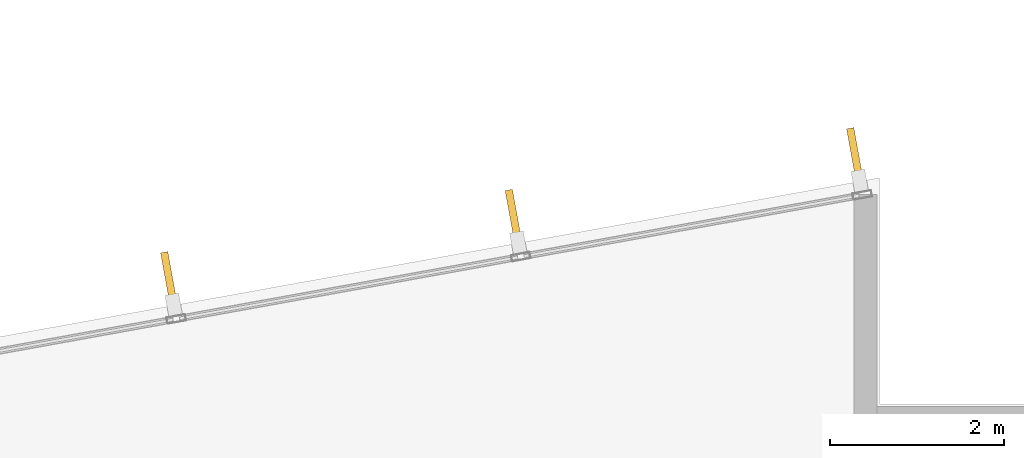
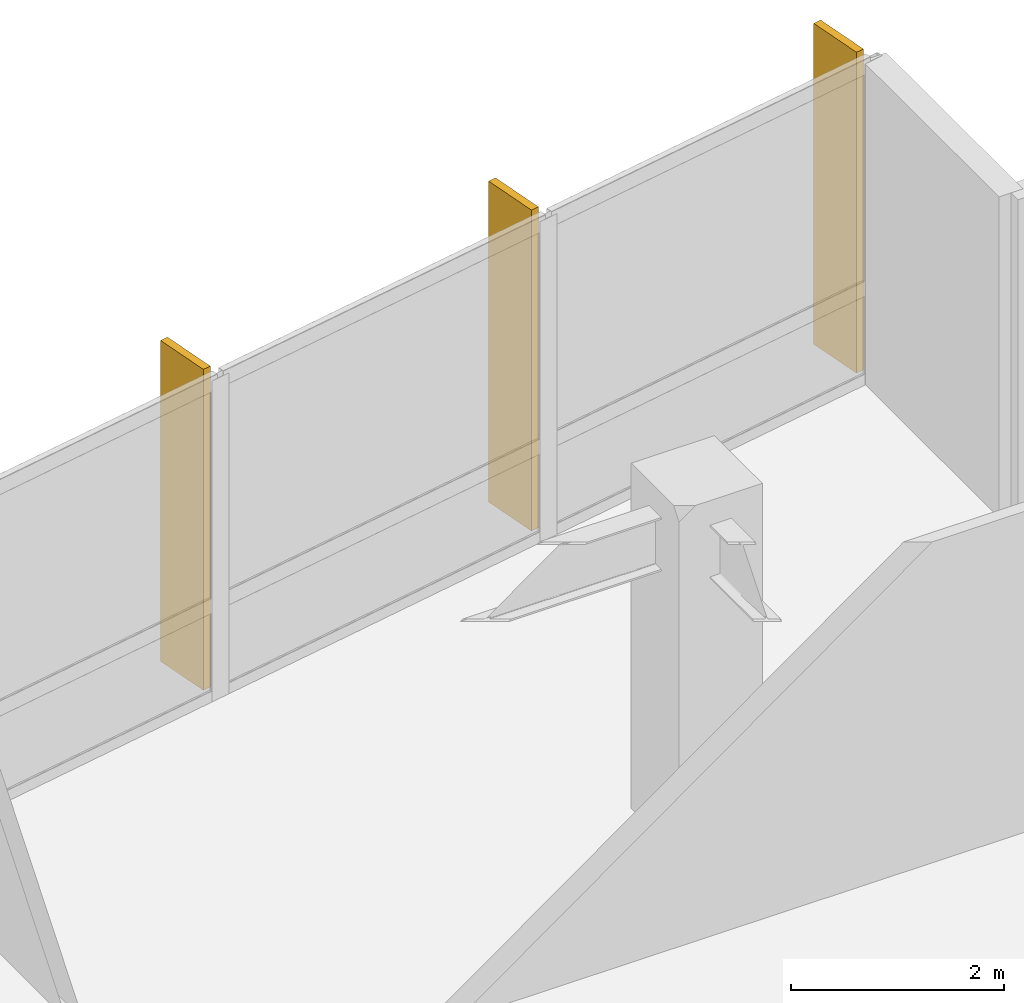
# One storey, part 19 of 19: 3 shading devices.
"""IFC4 building model written with IfcOpenShell, lengths in metres."""

from ifc_helpers import new_model, si_unit, direction, frame, origin, origin_2d, place, context, subcontext, project, spatial, rectangle, extrude, material, layer, layer_set, type_object, element, save


model = new_model("IFC4")

# Units and contexts
model_context = context("Model", 3, precision=1e-05, world=origin(), true_north=direction((0.0, 1.0)))
body_context = subcontext(model_context, "Body", "Model", "MODEL_VIEW")
ifc_project = project(units=[si_unit("LENGTHUNIT", "METRE"), si_unit("AREAUNIT", "SQUARE_METRE"), si_unit("VOLUMEUNIT", "CUBIC_METRE"), si_unit("PLANEANGLEUNIT", "RADIAN"), si_unit("MASSUNIT", "GRAM", prefix="KILO")], contexts=[model_context])

# Site, building, storey
site_placement = place(None, origin())
site = spatial("IfcSite", under=ifc_project, at=site_placement, CompositionType="ELEMENT")
building_placement = place(site_placement, origin())
building = spatial("IfcBuilding", under=site, at=building_placement, Name="Varnakote Quay Hospital", CompositionType="ELEMENT")
storey_placement = place(building_placement, frame((0.0, 0.0, 93.60009765625)))
storey = spatial("IfcBuildingStorey", under=building, at=storey_placement, Name="L23", CompositionType="ELEMENT", Elevation=93.60009765625)

# Shading devices
ifc_material = material(Name="Anodised aluminium 6063-T6 Bronze", Category="aluminium")
ifc_layer = layer(ifc_material, 0.0849609375)
ifc_layer_set = layer_set([ifc_layer], Name="Anodised aluminium 6063-T6 Bronze")
shading_device_type = type_object("IfcShadingDeviceType", Name="SHD-BRONZE-FIN-620", PredefinedType="USERDEFINED", material=ifc_layer_set)
for number, where, z_axis, x_axis, name in (
    (1, (55.319580078125, 34.664306640625, 0.0), (0.0, 0.0, 1.0), (0.177771795263, -0.984071739666, 0.0), "L23 Anodised Bronze Vertical Shading FIN"),
    (2, (51.393798828125, 33.954833984375, 0.0), (0.0, 0.0, 1.0), (0.177771795263, -0.984071739666, 0.0), "L23 Anodised Bronze Vertical Shading FIN"),
    (3, (47.43115234375, 33.23876953125, 0.0), (0.0, 0.0, 1.0), (0.177771795263, -0.984071739666, 0.0), "L23 Anodised Bronze Vertical Shading FIN"),
):
    element("IfcShadingDevice", number, at=place(storey_placement, frame(where, z_axis=z_axis, x_axis=x_axis)), inside=storey, type_object=shading_device_type, Name=name, ObjectType="FIN", PredefinedType="USERDEFINED", context=body_context, shape_type="SweptSolid", body=[
        extrude(rectangle(XDim=0.6201171875, YDim=0.0849609375, at=origin_2d()), origin(), (0.0, 0.0, 1.0), 3.669921875),
    ])

save(model, "model.ifc")
